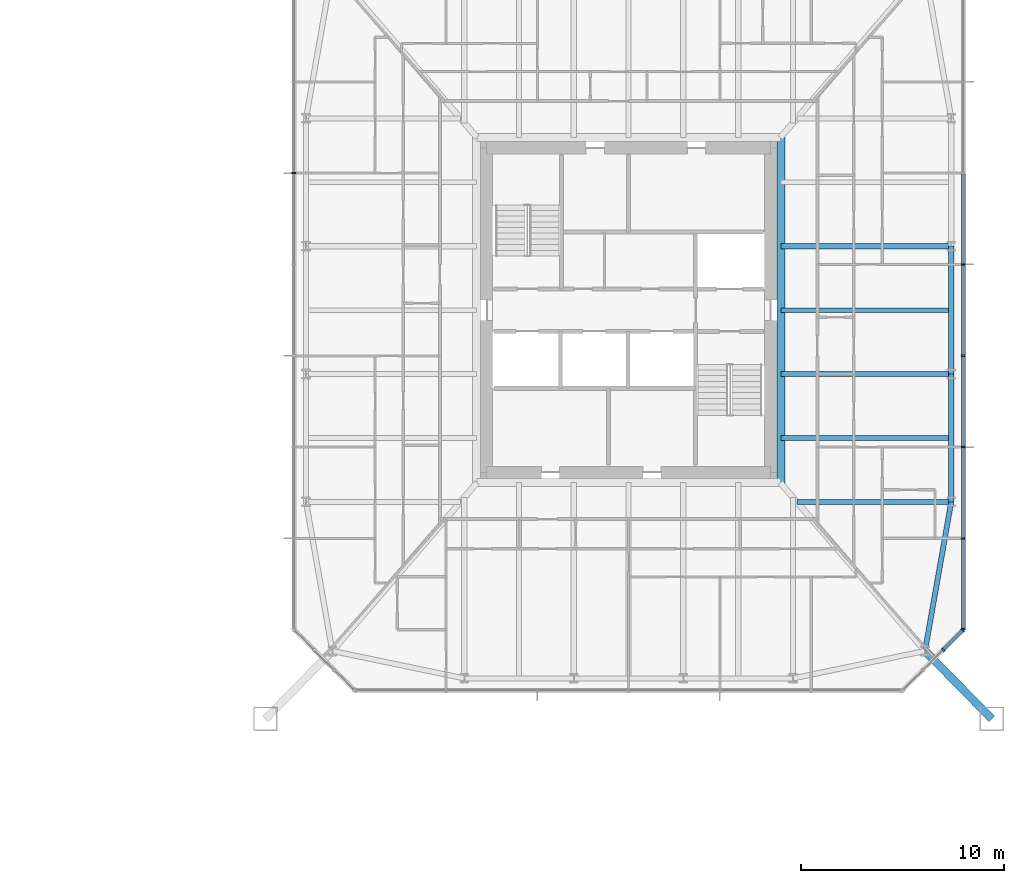
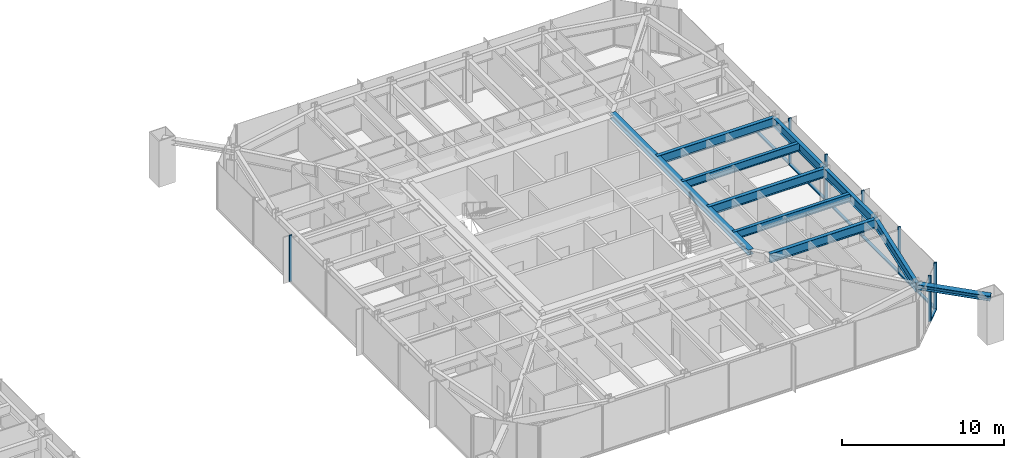
# One storey, part 9 of 26: 15 members, 9 beams, 3 elements without a shape of their own.
"""IFC4 building model written with IfcOpenShell, lengths in metres."""

from ifc_helpers import new_model, si_unit, direction, frame, origin, origin_2d, place, context, subcontext, project, spatial, rectangle, i_section, extrude, material, material_profile, profile_set, type_object, element, aggregate, save


model = new_model("IFC4")

# Units and contexts
model_context = context("Model", 3, precision=1e-05, world=origin(), true_north=direction((0.0, 1.0)))
body_context = subcontext(model_context, "Body", "Model", "MODEL_VIEW")
ifc_project = project(units=[si_unit("LENGTHUNIT", "METRE"), si_unit("AREAUNIT", "SQUARE_METRE"), si_unit("VOLUMEUNIT", "CUBIC_METRE"), si_unit("PLANEANGLEUNIT", "RADIAN"), si_unit("MASSUNIT", "GRAM", prefix="KILO")], contexts=[model_context])

# Site, building, storey
site_placement = place(None, origin())
site = spatial("IfcSite", under=ifc_project, at=site_placement, CompositionType="ELEMENT")
building_placement = place(site_placement, origin())
building = spatial("IfcBuilding", under=site, at=building_placement, Name="Iwan Alto Co-Living Towers", CompositionType="ELEMENT")
storey_placement = place(building_placement, frame((0.0, 0.0, 32.5)))
storey = spatial("IfcBuildingStorey", under=building, at=storey_placement, Name="L08", CompositionType="ELEMENT", Elevation=32.5)

# Curtain wall, members
ifc_material_1 = material(Name="Bronze aluminium unitised frame", Category="aluminium")
curtain_wall_type_1 = type_object("IfcCurtainWallType", Name="CURTAIN WALL CW-C", PredefinedType="NOTDEFINED", material=ifc_material_1)
curtain_wall_1_placement = place(storey_placement, origin())
curtain_wall_1 = element("IfcCurtainWall", 1, at=curtain_wall_1_placement, inside=storey, type_object=curtain_wall_type_1, Name="T2 curtain wall E L08", PredefinedType="NOTDEFINED")
ifc_material_2 = material(Name="Aluminium 6063-T6 bronze anodised", Category="aluminium")
ifc_material_profile_1 = material_profile(ifc_material_2, rectangle(XDim=0.199951171875, YDim=0.080078125, at=origin_2d()), Name="AL 80X200")
ifc_profile_set_1 = profile_set([ifc_material_profile_1], Name="Aluminium 6063-T6 bronze anodised")
member_type_1 = type_object("IfcMemberType", Name="CW-C MULLION 80X200", PredefinedType="MULLION", material=ifc_profile_set_1)
member_1_placement = place(storey_placement, frame((79.5, -15.7099609375, 0.0), z_axis=(0.0, 0.0, 1.0), x_axis=(-1.0, 0.0, 0.0)))
member_1 = element("IfcMember", 2, at=member_1_placement, type_object=member_type_1, Name="CW-C mullion 1", PredefinedType="MULLION", context=body_context, shape_type="SweptSolid", body=[
    extrude(rectangle(XDim=0.199951171875, YDim=0.080078125, at=origin_2d()), origin(), (0.0, 0.0, 1.0), 3.5),
])
member_2_placement = place(storey_placement, frame((79.5, -11.25, 0.0), z_axis=(0.0, 0.0, 1.0), x_axis=(-1.0, 0.0, 0.0)))
member_2 = element("IfcMember", 3, at=member_2_placement, type_object=member_type_1, Name="CW-C mullion 2", PredefinedType="MULLION", context=body_context, shape_type="SweptSolid", body=[
    extrude(rectangle(XDim=0.199951171875, YDim=0.080078125, at=origin_2d()), origin(), (0.0, 0.0, 1.0), 3.5),
])
member_3_placement = place(storey_placement, frame((79.5, -6.75, 0.0), z_axis=(0.0, 0.0, 1.0), x_axis=(-1.0, 0.0, 0.0)))
member_3 = element("IfcMember", 4, at=member_3_placement, type_object=member_type_1, Name="CW-C mullion 3", PredefinedType="MULLION", context=body_context, shape_type="SweptSolid", body=[
    extrude(rectangle(XDim=0.199951171875, YDim=0.080078125, at=origin_2d()), origin(), (0.0, 0.0, 1.0), 3.5),
])
member_4_placement = place(storey_placement, frame((79.5, -2.25, 0.0), z_axis=(0.0, 0.0, 1.0), x_axis=(-1.0, 0.0, 0.0)))
member_4 = element("IfcMember", 5, at=member_4_placement, type_object=member_type_1, Name="CW-C mullion 4", PredefinedType="MULLION", context=body_context, shape_type="SweptSolid", body=[
    extrude(rectangle(XDim=0.199951171875, YDim=0.080078125, at=origin_2d()), origin(), (0.0, 0.0, 1.0), 3.5),
])
member_5_placement = place(storey_placement, frame((79.5, 2.25, 0.0), z_axis=(0.0, 0.0, 1.0), x_axis=(-1.0, 0.0, 0.0)))
member_5 = element("IfcMember", 6, at=member_5_placement, type_object=member_type_1, Name="CW-C mullion 5", PredefinedType="MULLION", context=body_context, shape_type="SweptSolid", body=[
    extrude(rectangle(XDim=0.199951171875, YDim=0.080078125, at=origin_2d()), origin(), (0.0, 0.0, 1.0), 3.5),
])

# Curtain wall, member
curtain_wall_2_placement = place(storey_placement, origin())
curtain_wall_2 = element("IfcCurtainWall", 7, at=curtain_wall_2_placement, inside=storey, type_object=curtain_wall_type_1, Name="T2 curtain wall W L08", PredefinedType="NOTDEFINED")
member_6_placement = place(storey_placement, frame((46.5, 6.75, 0.0), z_axis=(0.0, 0.0, 1.0), x_axis=(1.0, 0.0, 0.0)))
member_6 = element("IfcMember", 8, at=member_6_placement, type_object=member_type_1, Name="CW-C mullion 3", PredefinedType="MULLION", context=body_context, shape_type="SweptSolid", body=[
    extrude(rectangle(XDim=0.199951171875, YDim=0.080078125, at=origin_2d()), origin(), (0.0, 0.0, 1.0), 3.5),
])
aggregate(curtain_wall_2, [member_6])

# Member
ifc_material_3 = material(Name="Aluminium 6063-T6 bronze anodised", Category="aluminium")
ifc_material_profile_2 = material_profile(ifc_material_3, rectangle(XDim=0.199951171875, YDim=0.10009765625, at=origin_2d()), Name="AL 200X100")
ifc_profile_set_2 = profile_set([ifc_material_profile_2], Name="Aluminium 6063-T6 bronze anodised")
member_type_2 = type_object("IfcMemberType", Name="CW-C TRANSOM 200X100", PredefinedType="USERDEFINED", material=ifc_profile_set_2)
member_7_placement = place(storey_placement, frame((79.5, -15.669921875, 0.050048828125), z_axis=(0.0, 1.0, 0.0), x_axis=(-1.0, 0.0, 0.0)))
member_7 = element("IfcMember", 9, at=member_7_placement, type_object=member_type_2, Name="CW-C transom 1.1", ObjectType="TRANSOM", PredefinedType="USERDEFINED", context=body_context, shape_type="SweptSolid", body=[
    extrude(rectangle(XDim=0.199951171875, YDim=0.10009765625, at=origin_2d()), origin(), (0.0, 0.0, 1.0), 4.3798828125),
])

member_8_placement = place(storey_placement, frame((79.5, -11.2099609375, 0.050048828125), z_axis=(0.0, 1.0, 0.0), x_axis=(-1.0, 0.0, 0.0)))
member_8 = element("IfcMember", 10, at=member_8_placement, type_object=member_type_2, Name="CW-C transom 2.1", ObjectType="TRANSOM", PredefinedType="USERDEFINED", context=body_context, shape_type="SweptSolid", body=[
    extrude(rectangle(XDim=0.199951171875, YDim=0.10009765625, at=origin_2d()), origin(), (0.0, 0.0, 1.0), 4.419921875),
])

member_9_placement = place(storey_placement, frame((79.5, -6.7099609375, 0.050048828125), z_axis=(0.0, 1.0, 0.0), x_axis=(-1.0, 0.0, 0.0)))
member_9 = element("IfcMember", 11, at=member_9_placement, type_object=member_type_2, Name="CW-C transom 3.1", ObjectType="TRANSOM", PredefinedType="USERDEFINED", context=body_context, shape_type="SweptSolid", body=[
    extrude(rectangle(XDim=0.199951171875, YDim=0.10009765625, at=origin_2d()), origin(), (0.0, 0.0, 1.0), 4.419921875),
])

member_10_placement = place(storey_placement, frame((79.5, -2.2099609375, 0.050048828125), z_axis=(0.0, 1.0, 0.0), x_axis=(-1.0, 0.0, 0.0)))
member_10 = element("IfcMember", 12, at=member_10_placement, type_object=member_type_2, Name="CW-C transom 4.1", ObjectType="TRANSOM", PredefinedType="USERDEFINED", context=body_context, shape_type="SweptSolid", body=[
    extrude(rectangle(XDim=0.199951171875, YDim=0.10009765625, at=origin_2d()), origin(), (0.0, 0.0, 1.0), 4.419921875),
])

member_11_placement = place(storey_placement, frame((79.5, 2.2900390625, 0.050048828125), z_axis=(0.0, 1.0, 0.0), x_axis=(-1.0, 0.0, 0.0)))
member_11 = element("IfcMember", 13, at=member_11_placement, type_object=member_type_2, Name="CW-C transom 5.1", ObjectType="TRANSOM", PredefinedType="USERDEFINED", context=body_context, shape_type="SweptSolid", body=[
    extrude(rectangle(XDim=0.199951171875, YDim=0.10009765625, at=origin_2d()), origin(), (0.0, 0.0, 1.0), 4.419921875),
])

aggregate(curtain_wall_1, [member_1, member_2, member_3, member_4, member_5, member_7, member_8, member_9, member_10, member_11])

# Curtain wall, members
ifc_material_4 = material(Name="Bronze aluminium unitised frame", Category="aluminium")
curtain_wall_type_2 = type_object("IfcCurtainWallType", Name="CURTAIN WALL CW-D", PredefinedType="NOTDEFINED", material=ifc_material_4)
curtain_wall_3_placement = place(storey_placement, origin())
curtain_wall_3 = element("IfcCurtainWall", 14, at=curtain_wall_3_placement, inside=storey, type_object=curtain_wall_type_2, Name="T2 chamfer curtain wall SE L08", PredefinedType="NOTDEFINED")
ifc_material_5 = material(Name="Aluminium 6063-T6 bronze anodised", Category="aluminium")
ifc_material_profile_3 = material_profile(ifc_material_5, rectangle(XDim=0.199951171875, YDim=0.080078125, at=origin_2d()), Name="AL 80X200")
ifc_profile_set_3 = profile_set([ifc_material_profile_3], Name="Aluminium 6063-T6 bronze anodised")
member_type_3 = type_object("IfcMemberType", Name="CW-D MULLION 80X200", PredefinedType="MULLION", material=ifc_profile_set_3)
member_12_placement = place(storey_placement, frame((78.5, -16.75, 0.0), z_axis=(0.0, 0.0, 1.0), x_axis=(-0.707106781187, 0.707106781187, 0.0)))
member_12 = element("IfcMember", 15, at=member_12_placement, type_object=member_type_3, Name="CW-D mullion 3", PredefinedType="MULLION", context=body_context, shape_type="SweptSolid", body=[
    extrude(rectangle(XDim=0.199951171875, YDim=0.080078125, at=origin_2d()), origin(), (0.0, 0.0, 1.0), 3.5),
])
member_13_placement = place(storey_placement, frame((79.4716796875, -15.7783203125, 0.0), z_axis=(0.0, 0.0, 1.0), x_axis=(-0.707106781187, 0.707106781187, 0.0)))
member_13 = element("IfcMember", 16, at=member_13_placement, type_object=member_type_3, Name="CW-D mullion 4", PredefinedType="MULLION", context=body_context, shape_type="SweptSolid", body=[
    extrude(rectangle(XDim=0.199951171875, YDim=0.080078125, at=origin_2d()), origin(), (0.0, 0.0, 1.0), 3.5),
])
ifc_material_6 = material(Name="Aluminium 6063-T6 bronze anodised", Category="aluminium")
ifc_material_profile_4 = material_profile(ifc_material_6, rectangle(XDim=0.199951171875, YDim=0.10009765625, at=origin_2d()), Name="AL 200X100")
ifc_profile_set_4 = profile_set([ifc_material_profile_4], Name="Aluminium 6063-T6 bronze anodised")
member_type_4 = type_object("IfcMemberType", Name="CW-D TRANSOM 200X100", PredefinedType="USERDEFINED", material=ifc_profile_set_4)
member_14_placement = place(storey_placement, frame((78.5283203125, -16.7216796875, 0.050048828125), z_axis=(0.707106781187, 0.707106781187, 0.0), x_axis=(-0.707106781187, 0.707106781187, 0.0)))
member_14 = element("IfcMember", 17, at=member_14_placement, type_object=member_type_4, Name="CW-D transom 3.1", ObjectType="TRANSOM", PredefinedType="USERDEFINED", context=body_context, shape_type="SweptSolid", body=[
    extrude(rectangle(XDim=0.199951171875, YDim=0.10009765625, at=origin_2d()), origin(), (0.0, 0.0, 1.0), 1.2939453125),
])
aggregate(curtain_wall_3, [member_12, member_13, member_14])

# Beams
ifc_material_7 = material(Name="Steel ASTM A992 Gr 50", Category="steel")
ifc_material_profile_5 = material_profile(ifc_material_7, i_section(OverallWidth=0.40380859375, OverallDepth=0.406494140625, WebThickness=0.027099609375, FlangeThickness=0.043701171875, at=origin_2d()), Name="W14X233")
ifc_profile_set_5 = profile_set([ifc_material_profile_5], Name="Steel ASTM A992 Gr 50")
beam_type_1 = type_object("IfcBeamType", Name="T2 CORE LEDGER BEAM W14X233", PredefinedType="BEAM", material=ifc_profile_set_5)
beam_1_placement = place(storey_placement, frame((70.501953125, -8.534912109375, 3.06689453125), z_axis=(0.0, 1.0, 0.0), x_axis=(-1.0, 0.0, 0.0)))
element("IfcBeam", 18, at=beam_1_placement, inside=storey, type_object=beam_type_1, Name="T2 core ledger beam E L09", PredefinedType="BEAM", context=body_context, shape_type="SweptSolid", body=[
    extrude(i_section(OverallWidth=0.40380859375, OverallDepth=0.406494140625, WebThickness=0.027099609375, FlangeThickness=0.043701171875, at=origin_2d()), origin(), (0.0, 0.0, 1.0), 17.06982421875),
])
ifc_material_8 = material(Name="Steel ASTM A992 Gr 50", Category="steel")
ifc_material_profile_6 = material_profile(ifc_material_8, i_section(OverallWidth=0.25390625, OverallDepth=0.683349609375, WebThickness=0.012451171875, FlangeThickness=0.018798828125, at=origin_2d()), Name="W27X94")
ifc_profile_set_6 = profile_set([ifc_material_profile_6], Name="Steel ASTM A992 Gr 50")
beam_type_2 = type_object("IfcBeamType", Name="T2 EDGE BEAM W27X94", PredefinedType="BEAM", material=ifc_profile_set_6)
beam_2_placement = place(storey_placement, frame((77.606201171875, -16.797119140625, 2.928466796875), z_axis=(0.173413807283, 0.98484905008, 0.0), x_axis=(-0.98484905008, 0.173413807283, 0.0)))
element("IfcBeam", 19, at=beam_2_placement, inside=storey, type_object=beam_type_2, Name="T2 edge beam CSE L09", PredefinedType="BEAM", context=body_context, shape_type="SweptSolid", body=[
    extrude(i_section(OverallWidth=0.25390625, OverallDepth=0.683349609375, WebThickness=0.012451171875, FlangeThickness=0.018798828125, at=origin_2d()), origin(), (0.0, 0.0, 1.0), 7.460205078125),
])
beam_3_placement = place(storey_placement, frame((78.89990234375, -9.449951171875, 2.928466796875), z_axis=(0.0, 1.0, 0.0), x_axis=(-1.0, 0.0, 0.0)))
element("IfcBeam", 20, at=beam_3_placement, inside=storey, type_object=beam_type_2, Name="T2 edge beam E1 L09", PredefinedType="BEAM", context=body_context, shape_type="SweptSolid", body=[
    extrude(i_section(OverallWidth=0.25390625, OverallDepth=0.683349609375, WebThickness=0.012451171875, FlangeThickness=0.018798828125, at=origin_2d()), origin(), (0.0, 0.0, 1.0), 6.300048828125),
])
beam_4_placement = place(storey_placement, frame((78.89990234375, -3.14990234375, 2.928466796875), z_axis=(0.0, 1.0, 0.0), x_axis=(-1.0, 0.0, 0.0)))
element("IfcBeam", 21, at=beam_4_placement, inside=storey, type_object=beam_type_2, Name="T2 edge beam E2 L09", PredefinedType="BEAM", context=body_context, shape_type="SweptSolid", body=[
    extrude(i_section(OverallWidth=0.25390625, OverallDepth=0.683349609375, WebThickness=0.012451171875, FlangeThickness=0.018798828125, at=origin_2d()), origin(), (0.0, 0.0, 1.0), 6.2998046875),
])

# Member
ifc_material_9 = material(Name="Steel ASTM A992 Gr 50", Category="steel")
ifc_material_profile_7 = material_profile(ifc_material_9, i_section(OverallWidth=0.393798828125, OverallDepth=0.3759765625, WebThickness=0.017333984375, FlangeThickness=0.027587890625, at=origin_2d()), Name="W14X145")
ifc_profile_set_7 = profile_set([ifc_material_profile_7], Name="Steel ASTM A992 Gr 50")
member_type_5 = type_object("IfcMemberType", Name="T2 MEGA COLUMN FLOOR TIE W14X145", PredefinedType="STRUT", material=ifc_profile_set_7)
member_15_placement = place(storey_placement, frame((80.89990234375, -20.14990234375, 3.08203125), z_axis=(-0.700793469544, 0.71336422187, 0.0), x_axis=(-0.71336422187, -0.700793469544, 0.0)))
element("IfcMember", 22, at=member_15_placement, inside=storey, type_object=member_type_5, Name="T2 mega column floor tie SE L09", PredefinedType="STRUT", context=body_context, shape_type="SweptSolid", body=[
    extrude(i_section(OverallWidth=0.393798828125, OverallDepth=0.3759765625, WebThickness=0.017333984375, FlangeThickness=0.027587890625, at=origin_2d()), origin(), (0.0, 0.0, 1.0), 4.699951171875),
])

# Beams
ifc_material_10 = material(Name="Steel ASTM A992 Gr 50", Category="steel")
ifc_material_profile_8 = material_profile(ifc_material_10, i_section(OverallWidth=0.25390625, OverallDepth=0.683349609375, WebThickness=0.012451171875, FlangeThickness=0.018798828125, at=origin_2d()), Name="W27X94")
ifc_profile_set_8 = profile_set([ifc_material_profile_8], Name="Steel ASTM A992 Gr 50")
beam_type_3 = type_object("IfcBeamType", Name="T2 RADIAL BEAM W27X94", PredefinedType="BEAM", material=ifc_profile_set_8)
beam_5_placement = place(storey_placement, frame((78.89990234375, -9.449951171875, 2.928466796875), z_axis=(-1.0, 0.0, 0.0), x_axis=(0.0, -1.0, 0.0)))
element("IfcBeam", 23, at=beam_5_placement, inside=storey, type_object=beam_type_3, Name="T2 radial beam E1 L09", PredefinedType="BEAM", context=body_context, shape_type="SweptSolid", body=[
    extrude(i_section(OverallWidth=0.25390625, OverallDepth=0.683349609375, WebThickness=0.012451171875, FlangeThickness=0.018798828125, at=origin_2d()), origin(), (0.0, 0.0, 1.0), 7.611083984375),
])
for number, where, z_axis, x_axis, name in (
    (24, (78.89990234375, -3.14990234375, 2.928466796875), (-1.0, 0.0, 0.0), (0.0, -1.0, 0.0), "T2 radial beam E2 L09"),
    (25, (78.89990234375, 3.14990234375, 2.928466796875), (-1.0, 0.0, 0.0), (0.0, -1.0, 0.0), "T2 radial beam E3 L09"),
):
    element("IfcBeam", number, at=place(storey_placement, frame(where, z_axis=z_axis, x_axis=x_axis)), inside=storey, type_object=beam_type_3, Name=name, PredefinedType="BEAM", context=body_context, shape_type="SweptSolid", body=[
        extrude(i_section(OverallWidth=0.25390625, OverallDepth=0.683349609375, WebThickness=0.012451171875, FlangeThickness=0.018798828125, at=origin_2d()), origin(), (0.0, 0.0, 1.0), 8.39794921875),
    ])
ifc_material_11 = material(Name="Steel ASTM A992 Gr 50", Category="steel")
ifc_material_profile_9 = material_profile(ifc_material_11, i_section(OverallWidth=0.228271484375, OverallDepth=0.607177734375, WebThickness=0.01123046875, FlangeThickness=0.017333984375, at=origin_2d()), Name="W24X76")
ifc_profile_set_9 = profile_set([ifc_material_profile_9], Name="Steel ASTM A992 Gr 50")
beam_type_4 = type_object("IfcBeamType", Name="T2 SECONDARY BEAM W24X76", PredefinedType="JOIST", material=ifc_profile_set_9)
for number, where, z_axis, x_axis, name in (
    (26, (78.89990234375, -6.300048828125, 2.966552734375), (-1.0, 0.0, 0.0), (0.0, -1.0, 0.0), "T2 secondary beam E1 L09"),
    (27, (78.89990234375, 0.0, 2.966552734375), (-1.0, 0.0, 0.0), (0.0, -1.0, 0.0), "T2 secondary beam E2 L09"),
):
    element("IfcBeam", number, at=place(storey_placement, frame(where, z_axis=z_axis, x_axis=x_axis)), inside=storey, type_object=beam_type_4, Name=name, PredefinedType="JOIST", context=body_context, shape_type="SweptSolid", body=[
        extrude(i_section(OverallWidth=0.228271484375, OverallDepth=0.607177734375, WebThickness=0.01123046875, FlangeThickness=0.017333984375, at=origin_2d()), origin(), (0.0, 0.0, 1.0), 8.39794921875),
    ])

save(model, "model.ifc")
